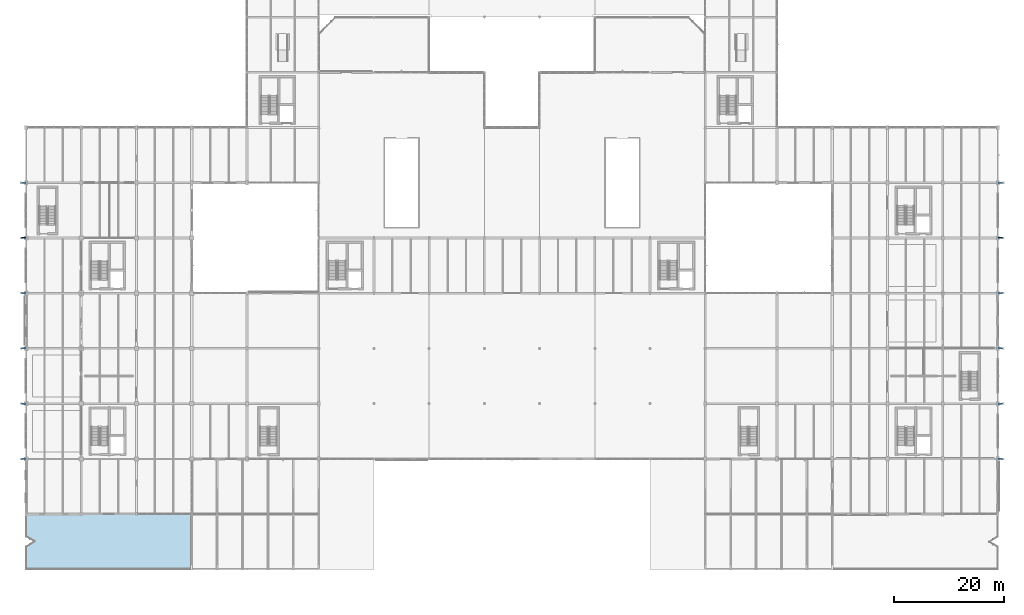
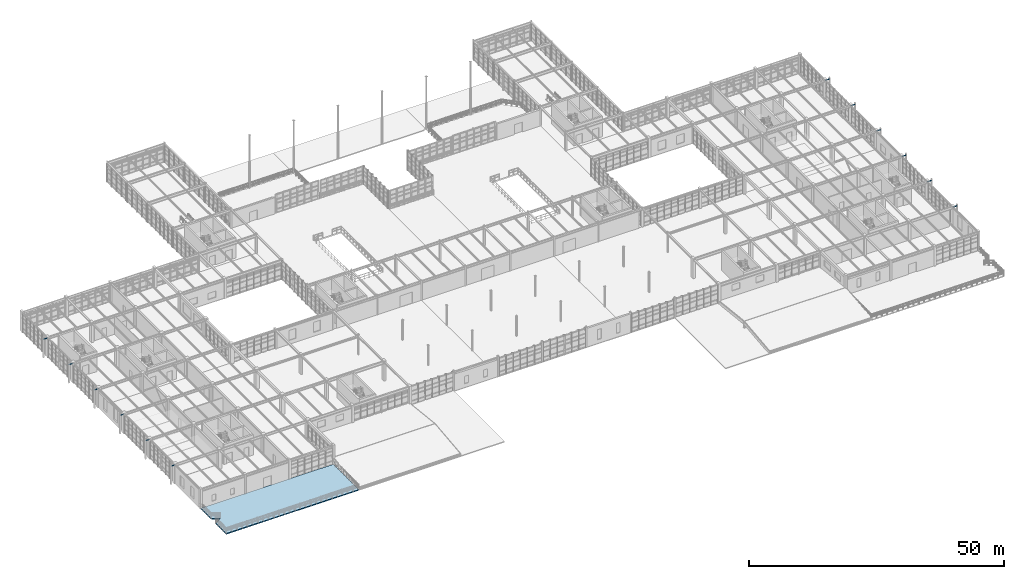
# One storey, part 81 of 139: 12 beams, 1 slab.
"""IFC4 building model written with IfcOpenShell, lengths in metres."""

from ifc_helpers import new_model, si_unit, direction, frame, origin, origin_2d, place, context, subcontext, project, spatial, polyline, hollow_rectangle, outline, extrude, material, layer, layer_set, material_profile, profile_set, type_object, element, save


model = new_model("IFC4")

# Units and contexts
model_context = context("Model", 3, precision=1e-05, world=origin(), true_north=direction((0.0, 1.0)))
body_context = subcontext(model_context, "Body", "Model", "MODEL_VIEW")
ifc_project = project(units=[si_unit("LENGTHUNIT", "METRE"), si_unit("AREAUNIT", "SQUARE_METRE"), si_unit("VOLUMEUNIT", "CUBIC_METRE"), si_unit("PLANEANGLEUNIT", "RADIAN"), si_unit("MASSUNIT", "GRAM", prefix="KILO"), si_unit("THERMODYNAMICTEMPERATUREUNIT", "KELVIN"), si_unit("POWERUNIT", "WATT")], contexts=[model_context])

# Site, building, storey
site_placement = place(None, origin())
site = spatial("IfcSite", under=ifc_project, at=site_placement, CompositionType="ELEMENT")
building_placement = place(site_placement, origin())
building = spatial("IfcBuilding", under=site, at=building_placement, Name="Korenveer Ferry Terminal", CompositionType="ELEMENT")
storey_placement = place(building_placement, frame((0.0, 0.0, 5.39990234375)))
storey = spatial("IfcBuildingStorey", under=building, at=storey_placement, Name="L01", CompositionType="ELEMENT", Elevation=5.39990234375)

# Beams
ifc_material_1 = material(Name="Steel S355", Category="steel")
ifc_material_profile = material_profile(ifc_material_1, hollow_rectangle(XDim=0.179931640625, YDim=0.179931640625, WallThickness=0.010009765625, InnerFilletRadius=0.010009765625, OuterFilletRadius=0.014892578125, at=origin_2d()), Name="SHS 180x180x10")
ifc_profile_set = profile_set([ifc_material_profile], Name="Steel S355")
beam_type = type_object("IfcBeamType", Name="STR-LNT-SHS180", PredefinedType="LINTEL", material=ifc_profile_set)
for number, where, z_axis, x_axis, name in (
    (1, (-0.949951171875, 20.0, 4.35009765625), (1.0, 0.0, 0.0), (0.0, 1.0, 0.0), "Buttress tie beam PIL-TIE-L01-X0-Y20"),
    (2, (-0.949951171875, 30.0, 4.35009765625), (1.0, 0.0, 0.0), (0.0, 1.0, 0.0), "Buttress tie beam PIL-TIE-L01-X0-Y30"),
    (3, (-0.949951171875, 40.0, 4.35009765625), (1.0, 0.0, 0.0), (0.0, 1.0, 0.0), "Buttress tie beam PIL-TIE-L01-X0-Y40"),
    (4, (-0.949951171875, 50.0, 4.35009765625), (1.0, 0.0, 0.0), (0.0, 1.0, 0.0), "Buttress tie beam PIL-TIE-L01-X0-Y50"),
    (5, (-0.949951171875, 60.0, 4.35009765625), (1.0, 0.0, 0.0), (0.0, 1.0, 0.0), "Buttress tie beam PIL-TIE-L01-X0-Y60"),
    (6, (-0.949951171875, 70.0, 4.35009765625), (1.0, 0.0, 0.0), (0.0, 1.0, 0.0), "Buttress tie beam PIL-TIE-L01-X0-Y70"),
    (7, (176.0, 20.0, 4.35009765625), (1.0, 0.0, 0.0), (0.0, 1.0, 0.0), "Buttress tie beam PIL-TIE-L01-X176-Y20"),
    (8, (176.0, 30.0, 4.35009765625), (1.0, 0.0, 0.0), (0.0, 1.0, 0.0), "Buttress tie beam PIL-TIE-L01-X176-Y30"),
    (9, (176.0, 40.0, 4.35009765625), (1.0, 0.0, 0.0), (0.0, 1.0, 0.0), "Buttress tie beam PIL-TIE-L01-X176-Y40"),
    (10, (176.0, 50.0, 4.35009765625), (1.0, 0.0, 0.0), (0.0, 1.0, 0.0), "Buttress tie beam PIL-TIE-L01-X176-Y50"),
    (11, (176.0, 60.0, 4.35009765625), (1.0, 0.0, 0.0), (0.0, 1.0, 0.0), "Buttress tie beam PIL-TIE-L01-X176-Y60"),
    (12, (176.0, 70.0, 4.35009765625), (1.0, 0.0, 0.0), (0.0, 1.0, 0.0), "Buttress tie beam PIL-TIE-L01-X176-Y70"),
):
    element("IfcBeam", number, at=place(storey_placement, frame(where, z_axis=z_axis, x_axis=x_axis)), inside=storey, type_object=beam_type, Name=name, PredefinedType="LINTEL", context=body_context, shape_type="SweptSolid", body=[
        extrude(hollow_rectangle(XDim=0.179931640625, YDim=0.179931640625, WallThickness=0.010009765625, InnerFilletRadius=0.010009765625, OuterFilletRadius=0.014892578125, at=origin_2d()), origin(), (0.0, 0.0, 1.0), 0.949951171875),
    ])

# Slab
ifc_material_2 = material(Name="Concrete C40/50", Category="concrete")
ifc_layer = layer(ifc_material_2, 0.219970703125)
ifc_layer_set = layer_set([ifc_layer], Name="Concrete C40/50")
slab_type = type_object("IfcSlabType", Name="STR-SL-DECK220", PredefinedType="FLOOR", material=ifc_layer_set)
slab_placement = place(storey_placement, frame((0.0, 0.0, -0.219970703125)))
element("IfcSlab", 13, at=slab_placement, inside=storey, type_object=slab_type, Name="West Forecourt Terrace", PredefinedType="FLOOR", context=body_context, shape_type="SweptSolid", body=[
    extrude(outline(polyline([(0.0, 0.0), (30.0, 0.0), (30.0, 10.0), (0.0, 10.0), (0.0, 6.0), (1.5, 5.0), (0.0, 4.0), (0.0, 0.0)])), origin(), (0.0, 0.0, 1.0), 0.219970703125),
])

save(model, "model.ifc")
